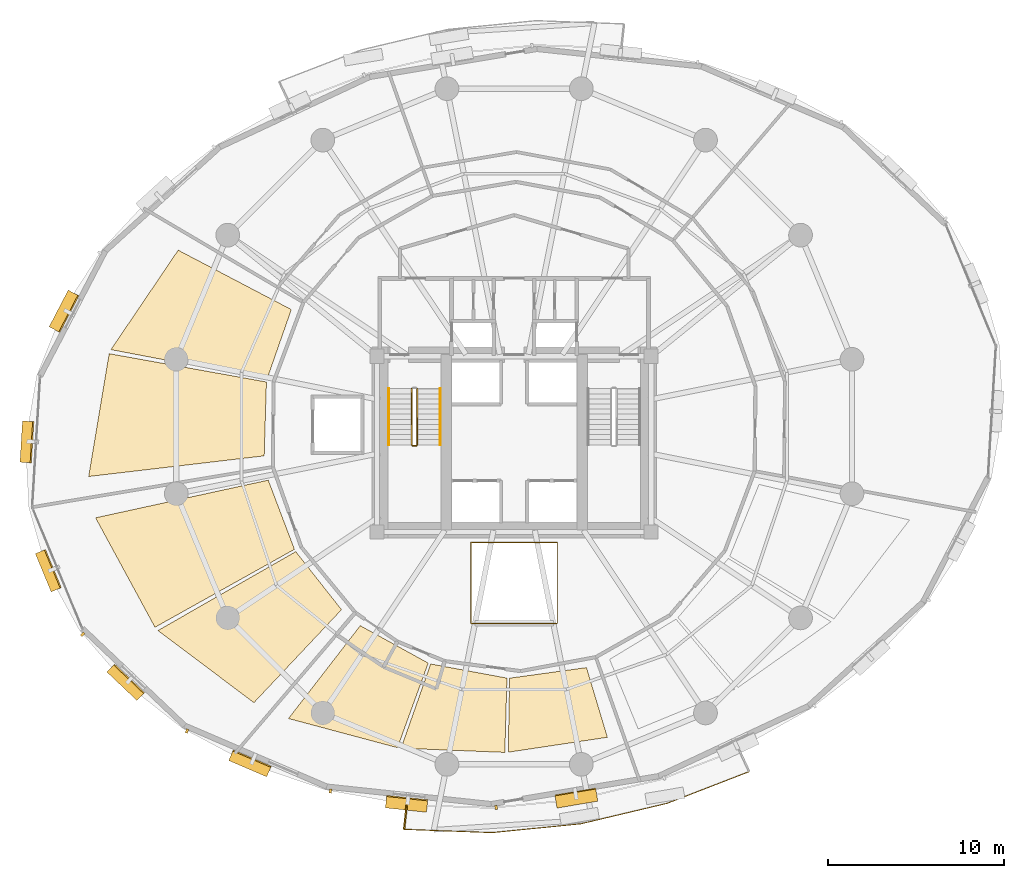
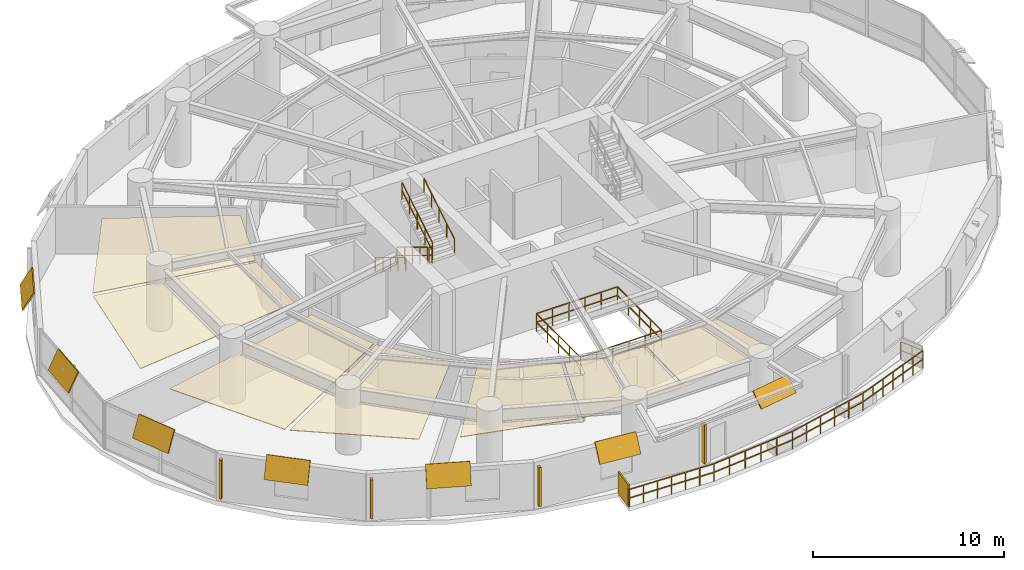
# One storey, part 15 of 17: 12 shading devices, 7 coverings, 7 railings.
"""IFC4 building model written with IfcOpenShell, lengths in metres."""

from ifc_helpers import new_model, si_unit, direction, frame, origin, origin_2d, place, context, subcontext, project, spatial, polyline, rectangle, outline, extrude, material, layer, layer_set, type_object, element, save


model = new_model("IFC4")

# Units and contexts
model_context = context("Model", 3, precision=1e-05, world=origin(), true_north=direction((0.0, 1.0)))
body_context = subcontext(model_context, "Body", "Model", "MODEL_VIEW")
ifc_project = project(units=[si_unit("LENGTHUNIT", "METRE"), si_unit("AREAUNIT", "SQUARE_METRE"), si_unit("VOLUMEUNIT", "CUBIC_METRE"), si_unit("PLANEANGLEUNIT", "RADIAN"), si_unit("MASSUNIT", "GRAM", prefix="KILO"), si_unit("THERMODYNAMICTEMPERATUREUNIT", "KELVIN"), si_unit("POWERUNIT", "WATT")], contexts=[model_context])

# Site, building, storey
site_placement = place(None, origin())
site = spatial("IfcSite", under=ifc_project, at=site_placement, CompositionType="ELEMENT")
building_placement = place(site_placement, origin())
building = spatial("IfcBuilding", under=site, at=building_placement, Name="Ocrelia Relay Tower", CompositionType="ELEMENT")
storey_placement = place(building_placement, frame((0.0, 0.0, 72.0)))
storey = spatial("IfcBuildingStorey", under=building, at=storey_placement, Name="L16", CompositionType="ELEMENT", Elevation=72.0)

# Coverings
ifc_material_1 = material(Name="Mineral-fiber acoustic ceiling tile", Category="gypsum")
ifc_layer_1 = layer(ifc_material_1, 0.0400390625, Name="Mineral-fiber acoustic ceiling tile")
ifc_layer_set_1 = layer_set([ifc_layer_1], Name="Mineral-fiber acoustic ceiling tile")
covering_type_1 = type_object("IfcCoveringType", Name="COV-CEIL-ACOUSTIC", PredefinedType="CEILING", material=ifc_layer_set_1)
covering_1_placement = place(storey_placement, frame((0.0, 0.0, 2.919921875)))
element("IfcCovering", 1, at=covering_1_placement, inside=storey, type_object=covering_type_1, Name="L16 Operations Control Office A Suspended Ceiling 1", PredefinedType="CEILING", context=body_context, shape_type="SweptSolid", body=[
    extrude(outline(polyline([(25.242919921875, 14.669677734375), (21.15869140625, 9.385009765625), (27.36083984375, 7.72607421875), (29.110107421875, 12.540771484375), (25.242919921875, 14.669677734375)])), origin(), (0.0, 0.0, 1.0), 0.0400390625),
])
covering_2_placement = place(storey_placement, frame((0.0, 0.0, 2.919921875)))
element("IfcCovering", 2, at=covering_2_placement, inside=storey, type_object=covering_type_1, Name="L16 Operations Control Office A Suspended Ceiling 2", PredefinedType="CEILING", context=body_context, shape_type="SweptSolid", body=[
    extrude(outline(polyline([(29.251220703125, 12.490234375), (27.56640625, 7.69677734375), (33.47119140625, 7.457763671875), (33.591796875, 11.685791015625), (29.251220703125, 12.490234375)])), origin(), (0.0, 0.0, 1.0), 0.0400390625),
])
covering_3_placement = place(storey_placement, frame((0.0, 0.0, 2.919921875)))
element("IfcCovering", 3, at=covering_3_placement, inside=storey, type_object=covering_type_1, Name="L16 Operations Control Office A Suspended Ceiling 3", PredefinedType="CEILING", context=body_context, shape_type="SweptSolid", body=[
    extrude(outline(polyline([(33.74169921875, 11.682373046875), (33.665771484375, 7.468994140625), (39.305419921875, 8.316162109375), (38.114990234375, 12.283935546875), (33.74169921875, 11.682373046875)])), origin(), (0.0, 0.0, 1.0), 0.0400390625),
])
covering_4_placement = place(storey_placement, frame((0.0, 0.0, 2.919921875)))
element("IfcCovering", 4, at=covering_4_placement, inside=storey, type_object=covering_type_1, Name="L16 Carrier Briefing Room Suspended Ceiling 1", PredefinedType="CEILING", context=body_context, shape_type="SweptSolid", body=[
    extrude(outline(polyline([(21.3212890625, 32.656494140625), (14.884521484375, 36.035888671875), (11.056640625, 30.376708984375), (19.93359375, 28.683349609375), (21.3212890625, 32.656494140625)])), origin(), (0.0, 0.0, 1.0), 0.0400390625),
])
covering_5_placement = place(storey_placement, frame((0.0, 0.0, 2.919921875)))
element("IfcCovering", 5, at=covering_5_placement, inside=storey, type_object=covering_type_1, Name="L16 Carrier Briefing Room Suspended Ceiling 2", PredefinedType="CEILING", context=body_context, shape_type="SweptSolid", body=[
    extrude(outline(polyline([(19.90625, 28.535888671875), (10.9580078125, 30.14599609375), (9.78857421875, 23.15576171875), (19.77783203125, 24.329345703125), (19.90625, 28.535888671875)])), origin(), (0.0, 0.0, 1.0), 0.0400390625),
])
ifc_material_2 = material(Name="Cleanroom metal-pan acoustic ceiling", Category="aluminium")
ifc_layer_2 = layer(ifc_material_2, 0.0400390625, Name="Cleanroom metal-pan acoustic ceiling")
ifc_layer_set_2 = layer_set([ifc_layer_2], Name="Cleanroom metal-pan acoustic ceiling")
covering_type_2 = type_object("IfcCoveringType", Name="COV-CEIL-CLEAN", PredefinedType="CEILING", material=ifc_layer_set_2)
covering_6_placement = place(storey_placement, frame((0.0, 0.0, 2.919921875)))
element("IfcCovering", 6, at=covering_6_placement, inside=storey, type_object=covering_type_2, Name="L16 Network Monitoring Studio Suspended Ceiling 1", PredefinedType="CEILING", context=body_context, shape_type="SweptSolid", body=[
    extrude(outline(polyline([(20.0087890625, 22.949462890625), (10.181640625, 20.806884765625), (13.563232421875, 14.578369140625), (21.499755859375, 19.013916015625), (20.0087890625, 22.949462890625)])), origin(), (0.0, 0.0, 1.0), 0.0400390625),
])
covering_7_placement = place(storey_placement, frame((0.0, 0.0, 2.919921875)))
element("IfcCovering", 7, at=covering_7_placement, inside=storey, type_object=covering_type_2, Name="L16 Network Monitoring Studio Suspended Ceiling 2", PredefinedType="CEILING", context=body_context, shape_type="SweptSolid", body=[
    extrude(outline(polyline([(21.573486328125, 18.88330078125), (13.7314453125, 14.39208984375), (19.193359375, 10.28759765625), (24.17919921875, 15.578369140625), (21.573486328125, 18.88330078125)])), origin(), (0.0, 0.0, 1.0), 0.0400390625),
])

# Railings
ifc_material_3 = material(Name="Steel S355 balustrade", Category="steel")
railing_type_1 = type_object("IfcRailingType", Name="RL-EXT-GUARD-1150", PredefinedType="GUARDRAIL", material=ifc_material_3)
railing_1_placement = place(storey_placement, frame((46.79248046875, 7.627197265625, 0.0)))
element("IfcRailing", 8, at=railing_1_placement, inside=storey, type_object=railing_type_1, Name="L16 Loggia Balcony Guard Rail B2", PredefinedType="GUARDRAIL", context=body_context, shape_type="SweptSolid", body=[
    extrude(rectangle(XDim=0.048095703125, YDim=0.048095703125, at=origin_2d()), frame((0.0, 0.0, 1.1259765625), z_axis=(0.425214762048, -0.905092484853, 0.0), x_axis=(0.905092484853, 0.425214762048, 0.0)), (0.0, 0.0, 1.0), 1.3935546875),
    extrude(rectangle(XDim=0.048095703125, YDim=0.048095703125, at=origin_2d()), frame((0.0, 0.0, 0.574951171875), z_axis=(0.425214762048, -0.905092484853, 0.0), x_axis=(0.905092484853, 0.425214762048, 0.0)), (0.0, 0.0, 1.0), 1.3935546875),
    extrude(rectangle(XDim=0.048095703125, YDim=0.048095703125, at=origin_2d()), frame((0.592529296875, -1.26123046875, 1.1259765625), z_axis=(-0.932761643449, -0.360493712164, 0.0), x_axis=(0.360493712164, -0.932761643449, 0.0)), (0.0, 0.0, 1.0), 2.505126953125),
    extrude(rectangle(XDim=0.048095703125, YDim=0.048095703125, at=origin_2d()), frame((0.592529296875, -1.26123046875, 0.574951171875), z_axis=(-0.932761643449, -0.360493712164, 0.0), x_axis=(0.360493712164, -0.932761643449, 0.0)), (0.0, 0.0, 1.0), 2.505126953125),
    extrude(rectangle(XDim=0.048095703125, YDim=0.048095703125, at=origin_2d()), frame((-1.744140625, -2.164306640625, 1.1259765625), z_axis=(-0.932781749828, -0.360441683476, 0.0), x_axis=(0.360441683476, -0.932781749828, 0.0)), (0.0, 0.0, 1.0), 2.5048828125),
    extrude(rectangle(XDim=0.048095703125, YDim=0.048095703125, at=origin_2d()), frame((-1.744140625, -2.164306640625, 0.574951171875), z_axis=(-0.932781749828, -0.360441683476, 0.0), x_axis=(0.360441683476, -0.932781749828, 0.0)), (0.0, 0.0, 1.0), 2.5048828125),
    extrude(rectangle(XDim=0.048095703125, YDim=0.048095703125, at=origin_2d()), frame((-4.08056640625, -3.067138671875, 1.1259765625), z_axis=(-0.97300599376, -0.230779843371, 0.0), x_axis=(0.230779843371, -0.97300599376, 0.0)), (0.0, 0.0, 1.0), 5.065185546875),
    extrude(rectangle(XDim=0.048095703125, YDim=0.048095703125, at=origin_2d()), frame((-4.08056640625, -3.067138671875, 0.574951171875), z_axis=(-0.97300599376, -0.230779843371, 0.0), x_axis=(0.230779843371, -0.97300599376, 0.0)), (0.0, 0.0, 1.0), 5.065185546875),
    extrude(rectangle(XDim=0.048095703125, YDim=0.048095703125, at=origin_2d()), frame((-9.009033203125, -4.236083984375, 1.1259765625), z_axis=(-0.995130286563, -0.098568315219, 0.0), x_axis=(0.098568315219, -0.995130286563, 0.0)), (0.0, 0.0, 1.0), 5.065185546875),
    extrude(rectangle(XDim=0.048095703125, YDim=0.048095703125, at=origin_2d()), frame((-9.009033203125, -4.236083984375, 0.574951171875), z_axis=(-0.995130286563, -0.098568315219, 0.0), x_axis=(0.098568315219, -0.995130286563, 0.0)), (0.0, 0.0, 1.0), 5.065185546875),
    extrude(rectangle(XDim=0.048095703125, YDim=0.048095703125, at=origin_2d()), frame((-14.049560546875, -4.7353515625, 1.1259765625), z_axis=(-0.999310286777, 0.037134226008, 0.0), x_axis=(-0.037134226008, -0.999310286777, 0.0)), (0.0, 0.0, 1.0), 2.5048828125),
    extrude(rectangle(XDim=0.048095703125, YDim=0.048095703125, at=origin_2d()), frame((-14.049560546875, -4.7353515625, 0.574951171875), z_axis=(-0.999310286777, 0.037134226008, 0.0), x_axis=(-0.037134226008, -0.999310286777, 0.0)), (0.0, 0.0, 1.0), 2.5048828125),
    extrude(rectangle(XDim=0.048095703125, YDim=0.048095703125, at=origin_2d()), frame((-16.552734375, -4.642333984375, 1.1259765625), z_axis=(-0.999310286777, 0.037134226008, 0.0), x_axis=(-0.037134226008, -0.999310286777, 0.0)), (0.0, 0.0, 1.0), 2.5048828125),
    extrude(rectangle(XDim=0.048095703125, YDim=0.048095703125, at=origin_2d()), frame((-16.552734375, -4.642333984375, 0.574951171875), z_axis=(-0.999310286777, 0.037134226008, 0.0), x_axis=(-0.037134226008, -0.999310286777, 0.0)), (0.0, 0.0, 1.0), 2.5048828125),
    extrude(rectangle(XDim=0.048095703125, YDim=0.048095703125, at=origin_2d()), frame((-19.055908203125, -4.54931640625, 1.1259765625), z_axis=(0.107238420866, 0.994233333323, 0.0), x_axis=(-0.994233333323, 0.107238420866, 0.0)), (0.0, 0.0, 1.0), 1.393310546875),
    extrude(rectangle(XDim=0.048095703125, YDim=0.048095703125, at=origin_2d()), frame((-19.055908203125, -4.54931640625, 0.574951171875), z_axis=(0.107238420866, 0.994233333323, 0.0), x_axis=(-0.994233333323, 0.107238420866, 0.0)), (0.0, 0.0, 1.0), 1.393310546875),
    extrude(rectangle(XDim=0.0419921875, YDim=0.0419921875, at=origin_2d()), origin(), (0.0, 0.0, 1.0), 1.101806640625),
    extrude(rectangle(XDim=0.0419921875, YDim=0.0419921875, at=origin_2d()), frame((0.29638671875, -0.630615234375, 0.0)), (0.0, 0.0, 1.0), 1.101806640625),
    extrude(rectangle(XDim=0.0419921875, YDim=0.0419921875, at=origin_2d()), frame((0.592529296875, -1.26123046875, 0.0)), (0.0, 0.0, 1.0), 1.101806640625),
    extrude(rectangle(XDim=0.0419921875, YDim=0.0419921875, at=origin_2d()), frame((-0.186279296875, -1.562255859375, 0.0)), (0.0, 0.0, 1.0), 1.101806640625),
    extrude(rectangle(XDim=0.0419921875, YDim=0.0419921875, at=origin_2d()), frame((-0.96533203125, -1.86328125, 0.0)), (0.0, 0.0, 1.0), 1.101806640625),
    extrude(rectangle(XDim=0.0419921875, YDim=0.0419921875, at=origin_2d()), frame((-1.744140625, -2.164306640625, 0.0)), (0.0, 0.0, 1.0), 1.101806640625),
    extrude(rectangle(XDim=0.0419921875, YDim=0.0419921875, at=origin_2d()), frame((-2.52294921875, -2.46533203125, 0.0)), (0.0, 0.0, 1.0), 1.101806640625),
    extrude(rectangle(XDim=0.0419921875, YDim=0.0419921875, at=origin_2d()), frame((-3.3017578125, -2.76611328125, 0.0)), (0.0, 0.0, 1.0), 1.101806640625),
    extrude(rectangle(XDim=0.0419921875, YDim=0.0419921875, at=origin_2d()), frame((-4.08056640625, -3.067138671875, 0.0)), (0.0, 0.0, 1.0), 1.101806640625),
    extrude(rectangle(XDim=0.0419921875, YDim=0.0419921875, at=origin_2d()), frame((-5.066162109375, -3.301025390625, 0.0)), (0.0, 0.0, 1.0), 1.101806640625),
    extrude(rectangle(XDim=0.0419921875, YDim=0.0419921875, at=origin_2d()), frame((-6.052001953125, -3.53466796875, 0.0)), (0.0, 0.0, 1.0), 1.101806640625),
    extrude(rectangle(XDim=0.0419921875, YDim=0.0419921875, at=origin_2d()), frame((-7.03759765625, -3.7685546875, 0.0)), (0.0, 0.0, 1.0), 1.101806640625),
    extrude(rectangle(XDim=0.0419921875, YDim=0.0419921875, at=origin_2d()), frame((-8.0234375, -4.002197265625, 0.0)), (0.0, 0.0, 1.0), 1.101806640625),
    extrude(rectangle(XDim=0.0419921875, YDim=0.0419921875, at=origin_2d()), frame((-9.009033203125, -4.236083984375, 0.0)), (0.0, 0.0, 1.0), 1.101806640625),
    extrude(rectangle(XDim=0.0419921875, YDim=0.0419921875, at=origin_2d()), frame((-10.01708984375, -4.3359375, 0.0)), (0.0, 0.0, 1.0), 1.101806640625),
    extrude(rectangle(XDim=0.0419921875, YDim=0.0419921875, at=origin_2d()), frame((-11.025146484375, -4.435791015625, 0.0)), (0.0, 0.0, 1.0), 1.101806640625),
    extrude(rectangle(XDim=0.0419921875, YDim=0.0419921875, at=origin_2d()), frame((-12.033447265625, -4.53564453125, 0.0)), (0.0, 0.0, 1.0), 1.101806640625),
    extrude(rectangle(XDim=0.0419921875, YDim=0.0419921875, at=origin_2d()), frame((-13.04150390625, -4.635498046875, 0.0)), (0.0, 0.0, 1.0), 1.101806640625),
    extrude(rectangle(XDim=0.0419921875, YDim=0.0419921875, at=origin_2d()), frame((-14.049560546875, -4.7353515625, 0.0)), (0.0, 0.0, 1.0), 1.101806640625),
    extrude(rectangle(XDim=0.0419921875, YDim=0.0419921875, at=origin_2d()), frame((-14.884033203125, -4.704345703125, 0.0)), (0.0, 0.0, 1.0), 1.101806640625),
    extrude(rectangle(XDim=0.0419921875, YDim=0.0419921875, at=origin_2d()), frame((-15.71826171875, -4.67333984375, 0.0)), (0.0, 0.0, 1.0), 1.101806640625),
    extrude(rectangle(XDim=0.0419921875, YDim=0.0419921875, at=origin_2d()), frame((-16.552734375, -4.642333984375, 0.0)), (0.0, 0.0, 1.0), 1.101806640625),
    extrude(rectangle(XDim=0.0419921875, YDim=0.0419921875, at=origin_2d()), frame((-17.38720703125, -4.611328125, 0.0)), (0.0, 0.0, 1.0), 1.101806640625),
    extrude(rectangle(XDim=0.0419921875, YDim=0.0419921875, at=origin_2d()), frame((-18.221435546875, -4.580322265625, 0.0)), (0.0, 0.0, 1.0), 1.101806640625),
    extrude(rectangle(XDim=0.0419921875, YDim=0.0419921875, at=origin_2d()), frame((-19.055908203125, -4.54931640625, 0.0)), (0.0, 0.0, 1.0), 1.101806640625),
    extrude(rectangle(XDim=0.0419921875, YDim=0.0419921875, at=origin_2d()), frame((-18.981201171875, -3.856689453125, 0.0)), (0.0, 0.0, 1.0), 1.101806640625),
    extrude(rectangle(XDim=0.0419921875, YDim=0.0419921875, at=origin_2d()), frame((-18.906494140625, -3.1640625, 0.0)), (0.0, 0.0, 1.0), 1.101806640625),
])
ifc_material_4 = material(Name="Steel S355 atrium balustrade", Category="steel")
railing_type_2 = type_object("IfcRailingType", Name="RL-INT-GUARD-115", PredefinedType="GUARDRAIL", material=ifc_material_4)
railing_2_placement = place(storey_placement, frame((31.550048828125, 14.800048828125, 0.0)))
element("IfcRailing", 9, at=railing_2_placement, inside=storey, type_object=railing_type_2, Name="L16 Multi-Zone Interior Atrium Guard", PredefinedType="GUARDRAIL", context=body_context, shape_type="SweptSolid", body=[
    extrude(rectangle(XDim=0.048095703125, YDim=0.048095703125, at=origin_2d()), frame((0.0, 0.0, 1.1259765625), z_axis=(1.0, 0.0, 0.0), x_axis=(0.0, 1.0, 0.0)), (0.0, 0.0, 1.0), 4.89990234375),
    extrude(rectangle(XDim=0.048095703125, YDim=0.048095703125, at=origin_2d()), frame((0.0, 0.0, 0.574951171875), z_axis=(1.0, 0.0, 0.0), x_axis=(0.0, 1.0, 0.0)), (0.0, 0.0, 1.0), 4.89990234375),
    extrude(rectangle(XDim=0.048095703125, YDim=0.048095703125, at=origin_2d()), frame((4.89990234375, 0.0, 1.1259765625), z_axis=(0.0, 1.0, 0.0), x_axis=(-1.0, 0.0, 0.0)), (0.0, 0.0, 1.0), 4.599853515625),
    extrude(rectangle(XDim=0.048095703125, YDim=0.048095703125, at=origin_2d()), frame((4.89990234375, 0.0, 0.574951171875), z_axis=(0.0, 1.0, 0.0), x_axis=(-1.0, 0.0, 0.0)), (0.0, 0.0, 1.0), 4.599853515625),
    extrude(rectangle(XDim=0.048095703125, YDim=0.048095703125, at=origin_2d()), frame((4.89990234375, 4.599853515625, 1.1259765625), z_axis=(-1.0, 0.0, 0.0), x_axis=(0.0, -1.0, 0.0)), (0.0, 0.0, 1.0), 4.89990234375),
    extrude(rectangle(XDim=0.048095703125, YDim=0.048095703125, at=origin_2d()), frame((4.89990234375, 4.599853515625, 0.574951171875), z_axis=(-1.0, 0.0, 0.0), x_axis=(0.0, -1.0, 0.0)), (0.0, 0.0, 1.0), 4.89990234375),
    extrude(rectangle(XDim=0.048095703125, YDim=0.048095703125, at=origin_2d()), frame((0.0, 4.599853515625, 1.1259765625), z_axis=(0.0, -1.0, 0.0), x_axis=(1.0, 0.0, 0.0)), (0.0, 0.0, 1.0), 4.599853515625),
    extrude(rectangle(XDim=0.048095703125, YDim=0.048095703125, at=origin_2d()), frame((0.0, 4.599853515625, 0.574951171875), z_axis=(0.0, -1.0, 0.0), x_axis=(1.0, 0.0, 0.0)), (0.0, 0.0, 1.0), 4.599853515625),
    extrude(rectangle(XDim=0.0419921875, YDim=0.0419921875, at=origin_2d()), origin(), (0.0, 0.0, 1.0), 1.101806640625),
    extrude(rectangle(XDim=0.0419921875, YDim=0.0419921875, at=origin_2d()), frame((0.97998046875, 0.0, 0.0)), (0.0, 0.0, 1.0), 1.101806640625),
    extrude(rectangle(XDim=0.0419921875, YDim=0.0419921875, at=origin_2d()), frame((1.9599609375, 0.0, 0.0)), (0.0, 0.0, 1.0), 1.101806640625),
    extrude(rectangle(XDim=0.0419921875, YDim=0.0419921875, at=origin_2d()), frame((2.93994140625, 0.0, 0.0)), (0.0, 0.0, 1.0), 1.101806640625),
    extrude(rectangle(XDim=0.0419921875, YDim=0.0419921875, at=origin_2d()), frame((3.919921875, 0.0, 0.0)), (0.0, 0.0, 1.0), 1.101806640625),
    extrude(rectangle(XDim=0.0419921875, YDim=0.0419921875, at=origin_2d()), frame((4.89990234375, 0.0, 0.0)), (0.0, 0.0, 1.0), 1.101806640625),
    extrude(rectangle(XDim=0.0419921875, YDim=0.0419921875, at=origin_2d()), frame((4.89990234375, 1.14990234375, 0.0)), (0.0, 0.0, 1.0), 1.101806640625),
    extrude(rectangle(XDim=0.0419921875, YDim=0.0419921875, at=origin_2d()), frame((4.89990234375, 2.2998046875, 0.0)), (0.0, 0.0, 1.0), 1.101806640625),
    extrude(rectangle(XDim=0.0419921875, YDim=0.0419921875, at=origin_2d()), frame((4.89990234375, 3.449951171875, 0.0)), (0.0, 0.0, 1.0), 1.101806640625),
    extrude(rectangle(XDim=0.0419921875, YDim=0.0419921875, at=origin_2d()), frame((4.89990234375, 4.599853515625, 0.0)), (0.0, 0.0, 1.0), 1.101806640625),
    extrude(rectangle(XDim=0.0419921875, YDim=0.0419921875, at=origin_2d()), frame((3.919921875, 4.599853515625, 0.0)), (0.0, 0.0, 1.0), 1.101806640625),
    extrude(rectangle(XDim=0.0419921875, YDim=0.0419921875, at=origin_2d()), frame((2.93994140625, 4.599853515625, 0.0)), (0.0, 0.0, 1.0), 1.101806640625),
    extrude(rectangle(XDim=0.0419921875, YDim=0.0419921875, at=origin_2d()), frame((1.9599609375, 4.599853515625, 0.0)), (0.0, 0.0, 1.0), 1.101806640625),
    extrude(rectangle(XDim=0.0419921875, YDim=0.0419921875, at=origin_2d()), frame((0.97998046875, 4.599853515625, 0.0)), (0.0, 0.0, 1.0), 1.101806640625),
    extrude(rectangle(XDim=0.0419921875, YDim=0.0419921875, at=origin_2d()), frame((0.0, 4.599853515625, 0.0)), (0.0, 0.0, 1.0), 1.101806640625),
    extrude(rectangle(XDim=0.0419921875, YDim=0.0419921875, at=origin_2d()), frame((0.0, 3.449951171875, 0.0)), (0.0, 0.0, 1.0), 1.101806640625),
    extrude(rectangle(XDim=0.0419921875, YDim=0.0419921875, at=origin_2d()), frame((0.0, 2.2998046875, 0.0)), (0.0, 0.0, 1.0), 1.101806640625),
    extrude(rectangle(XDim=0.0419921875, YDim=0.0419921875, at=origin_2d()), frame((0.0, 1.14990234375, 0.0)), (0.0, 0.0, 1.0), 1.101806640625),
])
railing_type_3 = type_object("IfcRailingType", Name="RL-STAIR-GUARD", PredefinedType="GUARDRAIL", material=ifc_material_3)
railing_3_placement = place(storey_placement, frame((28.179931640625, 28.14990234375, 0.175048828125)))
element("IfcRailing", 10, at=railing_3_placement, inside=storey, type_object=railing_type_3, Name="L16 ST1 stair guard 1", PredefinedType="GUARDRAIL", context=body_context, shape_type="SweptSolid", body=[
    extrude(rectangle(XDim=0.048095703125, YDim=0.048095703125, at=origin_2d()), frame((0.0, 0.0, 1.076171875), z_axis=(0.0, -0.856177665481, 0.516681531633), x_axis=(1.0, 0.0, 0.0)), (0.0, 0.0, 1.0), 3.725830078125),
    extrude(rectangle(XDim=0.048095703125, YDim=0.048095703125, at=origin_2d()), frame((0.0, 0.0, 0.550048828125), z_axis=(0.0, -0.856177665481, 0.516681531633), x_axis=(1.0, 0.0, 0.0)), (0.0, 0.0, 1.0), 3.725830078125),
    extrude(rectangle(XDim=0.0419921875, YDim=0.0419921875, at=origin_2d()), origin(), (0.0, 0.0, 1.0), 1.052001953125),
    extrude(rectangle(XDim=0.0419921875, YDim=0.0419921875, at=origin_2d()), frame((0.0, -0.79736328125, 0.481201171875)), (0.0, 0.0, 1.0), 1.052001953125),
    extrude(rectangle(XDim=0.0419921875, YDim=0.0419921875, at=origin_2d()), frame((0.0, -1.594970703125, 0.96240234375)), (0.0, 0.0, 1.0), 1.052001953125),
    extrude(rectangle(XDim=0.0419921875, YDim=0.0419921875, at=origin_2d()), frame((0.0, -2.392578125, 1.44384765625)), (0.0, 0.0, 1.0), 1.052001953125),
    extrude(rectangle(XDim=0.0419921875, YDim=0.0419921875, at=origin_2d()), frame((0.0, -3.18994140625, 1.925048828125)), (0.0, 0.0, 1.0), 1.052001953125),
])
railing_4_placement = place(storey_placement, frame((28.22998046875, 24.909912109375, 2.10009765625)))
element("IfcRailing", 11, at=railing_4_placement, inside=storey, type_object=railing_type_3, Name="L16 ST1 stair guard 2", PredefinedType="GUARDRAIL", context=body_context, shape_type="SweptSolid", body=[
    extrude(rectangle(XDim=0.048095703125, YDim=0.048095703125, at=origin_2d()), frame((0.0, 0.0, 1.076171875), z_axis=(1.0, 0.0, 0.0), x_axis=(0.0, 1.0, 0.0)), (0.0, 0.0, 1.0), 0.199951171875),
    extrude(rectangle(XDim=0.048095703125, YDim=0.048095703125, at=origin_2d()), frame((0.0, 0.0, 0.550048828125), z_axis=(1.0, 0.0, 0.0), x_axis=(0.0, 1.0, 0.0)), (0.0, 0.0, 1.0), 0.199951171875),
    extrude(rectangle(XDim=0.0419921875, YDim=0.0419921875, at=origin_2d()), origin(), (0.0, 0.0, 1.0), 1.052001953125),
    extrude(rectangle(XDim=0.0419921875, YDim=0.0419921875, at=origin_2d()), frame((0.199951171875, 0.0, 0.0)), (0.0, 0.0, 1.0), 1.052001953125),
])
railing_5_placement = place(storey_placement, frame((28.47998046875, 24.9599609375, 2.27490234375)))
element("IfcRailing", 12, at=railing_5_placement, inside=storey, type_object=railing_type_3, Name="L16 ST1 stair guard 3", PredefinedType="GUARDRAIL", context=body_context, shape_type="SweptSolid", body=[
    extrude(rectangle(XDim=0.048095703125, YDim=0.048095703125, at=origin_2d()), frame((0.0, 0.0, 1.076171875), z_axis=(0.0, 0.856177665481, 0.516681531633), x_axis=(-1.0, 0.0, 0.0)), (0.0, 0.0, 1.0), 3.725830078125),
    extrude(rectangle(XDim=0.048095703125, YDim=0.048095703125, at=origin_2d()), frame((0.0, 0.0, 0.550048828125), z_axis=(0.0, 0.856177665481, 0.516681531633), x_axis=(-1.0, 0.0, 0.0)), (0.0, 0.0, 1.0), 3.725830078125),
    extrude(rectangle(XDim=0.0419921875, YDim=0.0419921875, at=origin_2d()), origin(), (0.0, 0.0, 1.0), 1.052001953125),
    extrude(rectangle(XDim=0.0419921875, YDim=0.0419921875, at=origin_2d()), frame((0.0, 0.79736328125, 0.481201171875)), (0.0, 0.0, 1.0), 1.052001953125),
    extrude(rectangle(XDim=0.0419921875, YDim=0.0419921875, at=origin_2d()), frame((0.0, 1.594970703125, 0.96240234375)), (0.0, 0.0, 1.0), 1.052001953125),
    extrude(rectangle(XDim=0.0419921875, YDim=0.0419921875, at=origin_2d()), frame((0.0, 2.392578125, 1.44384765625)), (0.0, 0.0, 1.0), 1.052001953125),
    extrude(rectangle(XDim=0.0419921875, YDim=0.0419921875, at=origin_2d()), frame((0.0, 3.18994140625, 1.925048828125)), (0.0, 0.0, 1.0), 1.052001953125),
])
ifc_material_5 = material(Name="Steel S355 tubular handrail", Category="steel")
railing_type_4 = type_object("IfcRailingType", Name="RL-STAIR-HAND", PredefinedType="HANDRAIL", material=ifc_material_5)
railing_6_placement = place(storey_placement, frame((26.860107421875, 28.14990234375, 0.175048828125)))
element("IfcRailing", 13, at=railing_6_placement, inside=storey, type_object=railing_type_4, Name="L16 ST1 stair handrail 1", PredefinedType="HANDRAIL", context=body_context, shape_type="SweptSolid", body=[
    extrude(rectangle(XDim=0.048095703125, YDim=0.048095703125, at=origin_2d()), frame((0.0, 0.0, 0.8759765625), z_axis=(0.0, -0.856177665481, 0.516681531633), x_axis=(1.0, 0.0, 0.0)), (0.0, 0.0, 1.0), 3.725830078125),
    extrude(rectangle(XDim=0.0419921875, YDim=0.0419921875, at=origin_2d()), origin(), (0.0, 0.0, 1.0), 0.851806640625),
    extrude(rectangle(XDim=0.0419921875, YDim=0.0419921875, at=origin_2d()), frame((0.0, -0.79736328125, 0.481201171875)), (0.0, 0.0, 1.0), 0.851806640625),
    extrude(rectangle(XDim=0.0419921875, YDim=0.0419921875, at=origin_2d()), frame((0.0, -1.594970703125, 0.96240234375)), (0.0, 0.0, 1.0), 0.851806640625),
    extrude(rectangle(XDim=0.0419921875, YDim=0.0419921875, at=origin_2d()), frame((0.0, -2.392578125, 1.44384765625)), (0.0, 0.0, 1.0), 0.851806640625),
    extrude(rectangle(XDim=0.0419921875, YDim=0.0419921875, at=origin_2d()), frame((0.0, -3.18994140625, 1.925048828125)), (0.0, 0.0, 1.0), 0.851806640625),
])
railing_7_placement = place(storey_placement, frame((29.800048828125, 24.9599609375, 2.27490234375)))
element("IfcRailing", 14, at=railing_7_placement, inside=storey, type_object=railing_type_4, Name="L16 ST1 stair handrail 2", PredefinedType="HANDRAIL", context=body_context, shape_type="SweptSolid", body=[
    extrude(rectangle(XDim=0.048095703125, YDim=0.048095703125, at=origin_2d()), frame((0.0, 0.0, 0.8759765625), z_axis=(0.0, 0.856177665481, 0.516681531633), x_axis=(-1.0, 0.0, 0.0)), (0.0, 0.0, 1.0), 3.725830078125),
    extrude(rectangle(XDim=0.0419921875, YDim=0.0419921875, at=origin_2d()), origin(), (0.0, 0.0, 1.0), 0.851806640625),
    extrude(rectangle(XDim=0.0419921875, YDim=0.0419921875, at=origin_2d()), frame((0.0, 0.79736328125, 0.481201171875)), (0.0, 0.0, 1.0), 0.851806640625),
    extrude(rectangle(XDim=0.0419921875, YDim=0.0419921875, at=origin_2d()), frame((0.0, 1.594970703125, 0.96240234375)), (0.0, 0.0, 1.0), 0.851806640625),
    extrude(rectangle(XDim=0.0419921875, YDim=0.0419921875, at=origin_2d()), frame((0.0, 2.392578125, 1.44384765625)), (0.0, 0.0, 1.0), 0.851806640625),
    extrude(rectangle(XDim=0.0419921875, YDim=0.0419921875, at=origin_2d()), frame((0.0, 3.18994140625, 1.925048828125)), (0.0, 0.0, 1.0), 0.851806640625),
])

# Shading devices
ifc_material_6 = material(Name="Perforated oxide terracotta solar screen", Category="masonry")
ifc_layer_3 = layer(ifc_material_6, 0.090087890625, Name="Perforated oxide terracotta solar screen")
ifc_layer_set_3 = layer_set([ifc_layer_3], Name="Perforated oxide terracotta solar screen")
shading_device_type_1 = type_object("IfcShadingDeviceType", Name="SH-BALC-SCREEN", PredefinedType="USERDEFINED", material=ifc_layer_set_3)
shading_device_1_placement = place(storey_placement, frame((27.811279296875, 3.7705078125, 0.0), z_axis=(0.0, 0.0, 1.0), x_axis=(-0.107359143636, -0.9942203047, 0.0)))
element("IfcShadingDevice", 15, at=shading_device_1_placement, inside=storey, type_object=shading_device_type_1, Name="L16 Balcony Perforated Terracotta Screen B2-1", ObjectType="SCREEN", PredefinedType="USERDEFINED", context=body_context, shape_type="SweptSolid", body=[
    extrude(rectangle(XDim=1.340087890625, YDim=0.090087890625, at=origin_2d()), origin(), (0.0, 0.0, 1.0), 1.39990234375),
])
ifc_material_7 = material(Name="Extruded oxide terracotta vertical baguette", Category="masonry")
shading_device_type_2 = type_object("IfcShadingDeviceType", Name="SH-TERR-BAGUETTE", PredefinedType="USERDEFINED", material=ifc_material_7)
for number, where, z_axis, x_axis, name in (
    (16, (9.452880859375, 14.17138671875, 0.25), (0.0, 0.0, 1.0), (0.72536473698, -0.688364727704, 0.0), "L16 Oxide Terracotta Vertical Baguette 11"),
    (17, (15.385498046875, 8.675537109375, 0.25), (0.0, 0.0, 1.0), (0.918881281262, -0.394534144209, 0.0), "L16 Oxide Terracotta Vertical Baguette 12"),
    (18, (23.549560546875, 5.25830078125, 0.25), (0.0, 0.0, 1.0), (0.994370482059, -0.105959163874, 0.0), "L16 Oxide Terracotta Vertical Baguette 13"),
    (19, (32.9755859375, 4.327392578125, 0.25), (0.0, 0.0, 1.0), (0.986285656514, 0.165047277333, 0.0), "L16 Oxide Terracotta Vertical Baguette 14"),
):
    element("IfcShadingDevice", number, at=place(storey_placement, frame(where, z_axis=z_axis, x_axis=x_axis)), inside=storey, type_object=shading_device_type_2, Name=name, ObjectType="BAGUETTE", PredefinedType="USERDEFINED", context=body_context, shape_type="SweptSolid", body=[
        extrude(rectangle(XDim=0.139892578125, YDim=0.239990234375, at=origin_2d()), origin(), (0.0, 0.0, 1.0), 2.5),
    ])
ifc_material_8 = material(Name="Extruded oxide terracotta fin", Category="masonry")
ifc_layer_4 = layer(ifc_material_8, 0.080078125, Name="Extruded oxide terracotta fin")
ifc_layer_set_4 = layer_set([ifc_layer_4], Name="Extruded oxide terracotta fin")
shading_device_type_3 = type_object("IfcShadingDeviceType", Name="SH-VISOR-FIN-DEEP", PredefinedType="USERDEFINED", material=ifc_layer_set_4)
shading_device_2_placement = place(storey_placement, frame((8.418701171875, 32.5419921875, 2.8203125), z_axis=(-0.772473627713, 0.402120118849, 0.491511855915), x_axis=(-0.461744819502, -0.88701280806, 0.0)))
element("IfcShadingDevice", 20, at=shading_device_2_placement, inside=storey, type_object=shading_device_type_3, Name="L16 Canted Terracotta Sun-Visor Fin 08", ObjectType="FIN", PredefinedType="USERDEFINED", context=body_context, shape_type="SweptSolid", body=[
    extrude(rectangle(XDim=2.35009765625, YDim=1.259033203125, at=origin_2d()), origin(), (0.0, 0.0, 1.0), 0.080078125),
])
shading_device_3_placement = place(storey_placement, frame((6.31396484375, 25.123779296875, 2.822509765625), z_axis=(-0.897613830577, 0.054264868933, 0.437429691673), x_axis=(-0.060344410517, -0.998177615517, 0.0)))
element("IfcShadingDevice", 21, at=shading_device_3_placement, inside=storey, type_object=shading_device_type_3, Name="L16 Canted Terracotta Sun-Visor Fin 09", ObjectType="FIN", PredefinedType="USERDEFINED", context=body_context, shape_type="SweptSolid", body=[
    extrude(rectangle(XDim=2.35009765625, YDim=1.318115234375, at=origin_2d()), origin(), (0.0, 0.0, 1.0), 0.080078125),
])
for number, where, z_axis, x_axis, name in (
    (22, (7.530029296875, 17.812744140625, 2.82373046875), (-0.842800477122, -0.348409745036, 0.410241398845), (0.382037876302, -0.924146666429, 0.0), "L16 Canted Terracotta Sun-Visor Fin 10"),
    (23, (11.92333984375, 11.4736328125, 2.82373046875), (-0.627575476587, -0.661308027836, 0.410877978854), (0.72536473698, -0.688364727704, 0.0), "L16 Canted Terracotta Sun-Visor Fin 11"),
):
    element("IfcShadingDevice", number, at=place(storey_placement, frame(where, z_axis=z_axis, x_axis=x_axis)), inside=storey, type_object=shading_device_type_3, Name=name, ObjectType="FIN", PredefinedType="USERDEFINED", context=body_context, shape_type="SweptSolid", body=[
        extrude(rectangle(XDim=2.35009765625, YDim=1.345947265625, at=origin_2d()), origin(), (0.0, 0.0, 1.0), 0.080078125),
    ])
shading_device_4_placement = place(storey_placement, frame((18.985107421875, 6.865966796875, 2.822265625), z_axis=(-0.352774376622, -0.821621590793, 0.447759087839), x_axis=(0.918881281262, -0.394534144209, 0.0)))
element("IfcShadingDevice", 24, at=shading_device_4_placement, inside=storey, type_object=shading_device_type_3, Name="L16 Canted Terracotta Sun-Visor Fin 12", ObjectType="FIN", PredefinedType="USERDEFINED", context=body_context, shape_type="SweptSolid", body=[
    extrude(rectangle(XDim=2.35009765625, YDim=1.306884765625, at=origin_2d()), origin(), (0.0, 0.0, 1.0), 0.080078125),
])
shading_device_5_placement = place(storey_placement, frame((27.884765625, 4.56689453125, 2.818603515625), z_axis=(-0.08958299559, -0.840688839473, 0.534057264801), x_axis=(0.994370482059, -0.105959163874, 0.0)))
element("IfcShadingDevice", 25, at=shading_device_5_placement, inside=storey, type_object=shading_device_type_3, Name="L16 Canted Terracotta Sun-Visor Fin 13", ObjectType="FIN", PredefinedType="USERDEFINED", context=body_context, shape_type="SweptSolid", body=[
    extrude(rectangle(XDim=2.35009765625, YDim=1.2119140625, at=origin_2d()), origin(), (0.0, 0.0, 1.0), 0.080078125),
])
ifc_layer_5 = layer(ifc_material_8, 0.080078125, Name="Extruded oxide terracotta fin")
ifc_layer_set_5 = layer_set([ifc_layer_5], Name="Extruded oxide terracotta fin")
shading_device_type_4 = type_object("IfcShadingDeviceType", Name="SH-VISOR-FIN-MED", PredefinedType="USERDEFINED", material=ifc_layer_set_5)
shading_device_6_placement = place(storey_placement, frame((37.532470703125, 4.89111328125, 2.8134765625), z_axis=(0.123441162132, -0.7376568072, 0.663795687153), x_axis=(0.986285656514, 0.165047277333, 0.0)))
element("IfcShadingDevice", 26, at=shading_device_6_placement, inside=storey, type_object=shading_device_type_4, Name="L16 Canted Terracotta Sun-Visor Fin 14", ObjectType="FIN", PredefinedType="USERDEFINED", context=body_context, shape_type="SweptSolid", body=[
    extrude(rectangle(XDim=2.35009765625, YDim=1.056884765625, at=origin_2d()), origin(), (0.0, 0.0, 1.0), 0.080078125),
])

save(model, "model.ifc")
